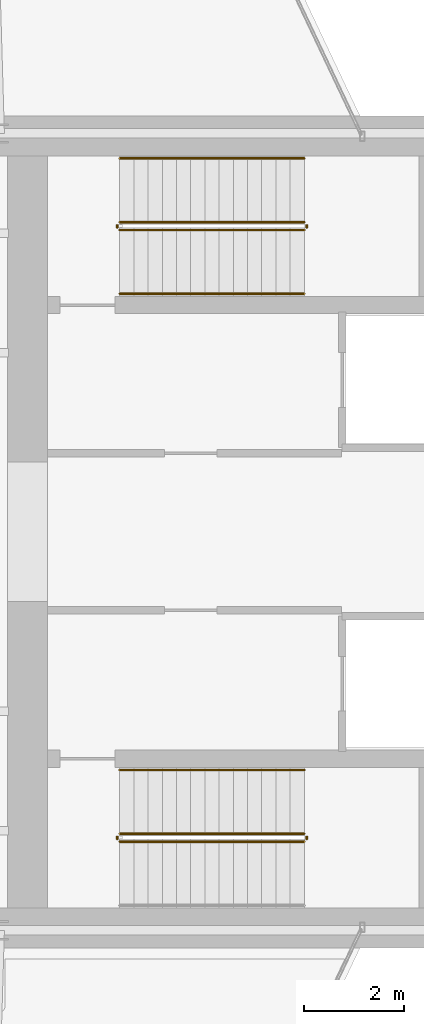
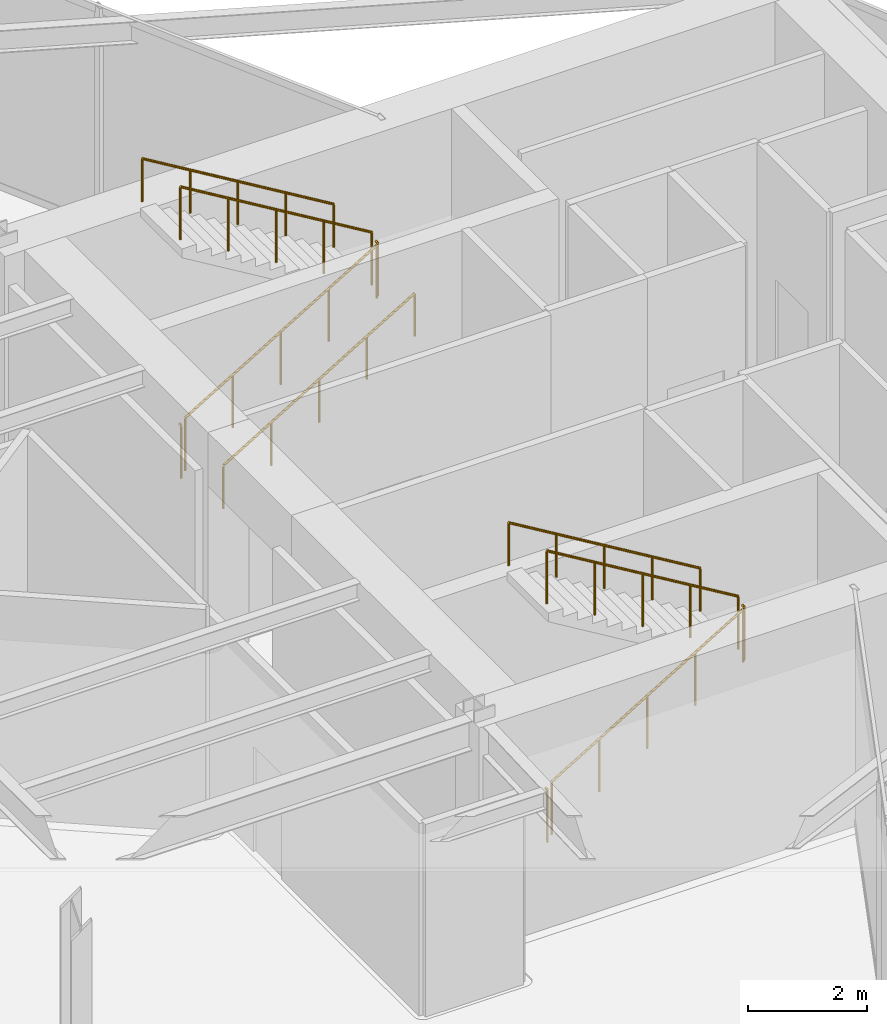
# One storey, part 13 of 13: 11 railings.
"""IFC4 building model written with IfcOpenShell, lengths in metres."""

from ifc_helpers import new_model, si_unit, direction, frame, origin, origin_2d, place, context, subcontext, project, spatial, circle, extrude, material, type_object, element, save


model = new_model("IFC4")

# Units and contexts
model_context = context("Model", 3, precision=1e-05, world=origin(), true_north=direction((0.0, 1.0)))
body_context = subcontext(model_context, "Body", "Model", "MODEL_VIEW")
ifc_project = project(units=[si_unit("LENGTHUNIT", "METRE"), si_unit("AREAUNIT", "SQUARE_METRE"), si_unit("VOLUMEUNIT", "CUBIC_METRE"), si_unit("PLANEANGLEUNIT", "RADIAN"), si_unit("MASSUNIT", "GRAM", prefix="KILO")], contexts=[model_context])

# Site, building, storey
site_placement = place(None, origin())
site = spatial("IfcSite", under=ifc_project, at=site_placement, CompositionType="ELEMENT")
building_placement = place(site_placement, origin())
building = spatial("IfcBuilding", under=site, at=building_placement, Name="Veymaron Broadcast Tower", CompositionType="ELEMENT")
storey_placement = place(building_placement, frame((0.0, 0.0, 112.050048828125)))
storey = spatial("IfcBuildingStorey", under=building, at=storey_placement, Name="L25", CompositionType="ELEMENT", Elevation=112.050048828125)

# Railings
ifc_material_1 = material(Name="Brushed stainless steel AISI 304", Category="steel")
railing_type_1 = type_object("IfcRailingType", Name="RAIL-STAIR-HR", PredefinedType="HANDRAIL", material=ifc_material_1)
railing_1_placement = place(storey_placement, frame((41.429931640625, 28.780029296875, 0.17138671875)))
element("IfcRailing", 1, at=railing_1_placement, inside=storey, type_object=railing_type_1, Name="L25 ST1 stair handrail 1", PredefinedType="HANDRAIL", context=body_context, shape_type="SweptSolid", body=[
    extrude(circle(Radius=0.02392578125, at=origin_2d()), frame((0.0, 0.0, 0.8759765625), z_axis=(0.856934400257, 0.0, 0.515425487977), x_axis=(0.0, 1.0, 0.0)), (0.0, 0.0, 1.0), 4.32373046875),
    extrude(circle(Radius=0.02099609375, at=origin_2d()), origin(), (0.0, 0.0, 1.0), 0.851806640625),
    extrude(circle(Radius=0.02099609375, at=origin_2d()), frame((0.92626953125, 0.0, 0.55712890625)), (0.0, 0.0, 1.0), 0.851806640625),
    extrude(circle(Radius=0.02099609375, at=origin_2d()), frame((1.8525390625, 0.0, 1.1142578125)), (0.0, 0.0, 1.0), 0.851806640625),
    extrude(circle(Radius=0.02099609375, at=origin_2d()), frame((2.77880859375, 0.0, 1.67138671875)), (0.0, 0.0, 1.0), 0.851806640625),
    extrude(circle(Radius=0.02099609375, at=origin_2d()), frame((3.705078125, 0.0, 2.228515625)), (0.0, 0.0, 1.0), 0.851806640625),
])
for number, where, name in (
    (2, (45.135009765625, 31.5, 2.5712890625), "L25 ST1 stair handrail 2"),
    (3, (45.135009765625, 19.219970703125, 2.5712890625), "L25 ST2 stair handrail 2"),
):
    element("IfcRailing", number, at=place(storey_placement, frame(where)), inside=storey, type_object=railing_type_1, Name=name, PredefinedType="HANDRAIL", context=body_context, shape_type="SweptSolid", body=[
        extrude(circle(Radius=0.02392578125, at=origin_2d()), frame((0.0, 0.0, 0.8759765625), z_axis=(-0.856909459561, 0.0, 0.515466951525), x_axis=(0.0, -1.0, 0.0)), (0.0, 0.0, 1.0), 4.32373046875),
        extrude(circle(Radius=0.02099609375, at=origin_2d()), origin(), (0.0, 0.0, 1.0), 0.851806640625),
        extrude(circle(Radius=0.02099609375, at=origin_2d()), frame((-0.92626953125, 0.0, 0.55712890625)), (0.0, 0.0, 1.0), 0.851806640625),
        extrude(circle(Radius=0.02099609375, at=origin_2d()), frame((-1.8525390625, 0.0, 1.1142578125)), (0.0, 0.0, 1.0), 0.851806640625),
        extrude(circle(Radius=0.02099609375, at=origin_2d()), frame((-2.77880859375, 0.0, 1.671630859375)), (0.0, 0.0, 1.0), 0.851806640625),
        extrude(circle(Radius=0.02099609375, at=origin_2d()), frame((-3.705078125, 0.0, 2.228759765625)), (0.0, 0.0, 1.0), 0.851806640625),
    ])
ifc_material_2 = material(Name="Painted galvanized steel balustrade", Category="steel")
railing_type_2 = type_object("IfcRailingType", Name="RAIL-WELL-GRD", PredefinedType="GUARDRAIL", material=ifc_material_2)
railing_2_placement = place(storey_placement, frame((41.429931640625, 30.06005859375, 0.17138671875)))
element("IfcRailing", 4, at=railing_2_placement, inside=storey, type_object=railing_type_2, Name="L25 ST1 stair guard 1", PredefinedType="GUARDRAIL", context=body_context, shape_type="SweptSolid", body=[
    extrude(circle(Radius=0.02392578125, at=origin_2d()), frame((0.0, 0.0, 1.076171875), z_axis=(0.856934400257, 0.0, 0.515425487977), x_axis=(0.0, 1.0, 0.0)), (0.0, 0.0, 1.0), 4.32373046875),
    extrude(circle(Radius=0.02099609375, at=origin_2d()), origin(), (0.0, 0.0, 1.0), 1.052001953125),
    extrude(circle(Radius=0.02099609375, at=origin_2d()), frame((0.92626953125, 0.0, 0.55712890625)), (0.0, 0.0, 1.0), 1.052001953125),
    extrude(circle(Radius=0.02099609375, at=origin_2d()), frame((1.8525390625, 0.0, 1.1142578125)), (0.0, 0.0, 1.0), 1.052001953125),
    extrude(circle(Radius=0.02099609375, at=origin_2d()), frame((2.77880859375, 0.0, 1.67138671875)), (0.0, 0.0, 1.0), 1.052001953125),
    extrude(circle(Radius=0.02099609375, at=origin_2d()), frame((3.705078125, 0.0, 2.228515625)), (0.0, 0.0, 1.0), 1.052001953125),
])
railing_3_placement = place(storey_placement, frame((45.18505859375, 30.110107421875, 2.39990234375)))
element("IfcRailing", 5, at=railing_3_placement, inside=storey, type_object=railing_type_2, Name="L25 ST1 stair guard 2", PredefinedType="GUARDRAIL", context=body_context, shape_type="SweptSolid", body=[
    extrude(circle(Radius=0.02392578125, at=origin_2d()), frame((0.0, 0.0, 1.076171875), z_axis=(0.0, 1.0, 0.0), x_axis=(-1.0, 0.0, 0.0)), (0.0, 0.0, 1.0), 0.059814453125),
    extrude(circle(Radius=0.02099609375, at=origin_2d()), origin(), (0.0, 0.0, 1.0), 1.052001953125),
])
railing_4_placement = place(storey_placement, frame((45.135009765625, 30.219970703125, 2.5712890625)))
element("IfcRailing", 6, at=railing_4_placement, inside=storey, type_object=railing_type_2, Name="L25 ST1 stair guard 3", PredefinedType="GUARDRAIL", context=body_context, shape_type="SweptSolid", body=[
    extrude(circle(Radius=0.02392578125, at=origin_2d()), frame((0.0, 0.0, 1.076171875), z_axis=(-0.856909459561, 0.0, 0.515466951525), x_axis=(0.0, -1.0, 0.0)), (0.0, 0.0, 1.0), 4.32373046875),
    extrude(circle(Radius=0.02099609375, at=origin_2d()), origin(), (0.0, 0.0, 1.0), 1.052001953125),
    extrude(circle(Radius=0.02099609375, at=origin_2d()), frame((-0.92626953125, 0.0, 0.55712890625)), (0.0, 0.0, 1.0), 1.052001953125),
    extrude(circle(Radius=0.02099609375, at=origin_2d()), frame((-1.8525390625, 0.0, 1.1142578125)), (0.0, 0.0, 1.0), 1.052001953125),
    extrude(circle(Radius=0.02099609375, at=origin_2d()), frame((-2.77880859375, 0.0, 1.671630859375)), (0.0, 0.0, 1.0), 1.052001953125),
    extrude(circle(Radius=0.02099609375, at=origin_2d()), frame((-3.705078125, 0.0, 2.228759765625)), (0.0, 0.0, 1.0), 1.052001953125),
])
railing_5_placement = place(storey_placement, frame((41.3798828125, 30.110107421875, 0.0)))
element("IfcRailing", 7, at=railing_5_placement, inside=storey, type_object=railing_type_2, Name="L25 ST1 stair guard 4", PredefinedType="GUARDRAIL", context=body_context, shape_type="SweptSolid", body=[
    extrude(circle(Radius=0.02392578125, at=origin_2d()), frame((0.0, 0.0, 1.076171875), z_axis=(0.0, 1.0, 0.0), x_axis=(-1.0, 0.0, 0.0)), (0.0, 0.0, 1.0), 0.059814453125),
    extrude(circle(Radius=0.02099609375, at=origin_2d()), origin(), (0.0, 0.0, 1.0), 1.052001953125),
])
railing_6_placement = place(storey_placement, frame((41.429931640625, 17.780029296875, 0.17138671875)))
element("IfcRailing", 8, at=railing_6_placement, inside=storey, type_object=railing_type_2, Name="L25 ST2 stair guard 1", PredefinedType="GUARDRAIL", context=body_context, shape_type="SweptSolid", body=[
    extrude(circle(Radius=0.02392578125, at=origin_2d()), frame((0.0, 0.0, 1.076171875), z_axis=(0.856934400257, 0.0, 0.515425487977), x_axis=(0.0, 1.0, 0.0)), (0.0, 0.0, 1.0), 4.32373046875),
    extrude(circle(Radius=0.02099609375, at=origin_2d()), origin(), (0.0, 0.0, 1.0), 1.052001953125),
    extrude(circle(Radius=0.02099609375, at=origin_2d()), frame((0.92626953125, 0.0, 0.55712890625)), (0.0, 0.0, 1.0), 1.052001953125),
    extrude(circle(Radius=0.02099609375, at=origin_2d()), frame((1.8525390625, 0.0, 1.1142578125)), (0.0, 0.0, 1.0), 1.052001953125),
    extrude(circle(Radius=0.02099609375, at=origin_2d()), frame((2.77880859375, 0.0, 1.67138671875)), (0.0, 0.0, 1.0), 1.052001953125),
    extrude(circle(Radius=0.02099609375, at=origin_2d()), frame((3.705078125, 0.0, 2.228515625)), (0.0, 0.0, 1.0), 1.052001953125),
])
railing_7_placement = place(storey_placement, frame((45.18505859375, 17.830078125, 2.39990234375)))
element("IfcRailing", 9, at=railing_7_placement, inside=storey, type_object=railing_type_2, Name="L25 ST2 stair guard 2", PredefinedType="GUARDRAIL", context=body_context, shape_type="SweptSolid", body=[
    extrude(circle(Radius=0.02392578125, at=origin_2d()), frame((0.0, 0.0, 1.076171875), z_axis=(0.0, 1.0, 0.0), x_axis=(-1.0, 0.0, 0.0)), (0.0, 0.0, 1.0), 0.059814453125),
    extrude(circle(Radius=0.02099609375, at=origin_2d()), origin(), (0.0, 0.0, 1.0), 1.052001953125),
])
railing_8_placement = place(storey_placement, frame((45.135009765625, 17.93994140625, 2.5712890625)))
element("IfcRailing", 10, at=railing_8_placement, inside=storey, type_object=railing_type_2, Name="L25 ST2 stair guard 3", PredefinedType="GUARDRAIL", context=body_context, shape_type="SweptSolid", body=[
    extrude(circle(Radius=0.02392578125, at=origin_2d()), frame((0.0, 0.0, 1.076171875), z_axis=(-0.856909459561, 0.0, 0.515466951525), x_axis=(0.0, -1.0, 0.0)), (0.0, 0.0, 1.0), 4.32373046875),
    extrude(circle(Radius=0.02099609375, at=origin_2d()), origin(), (0.0, 0.0, 1.0), 1.052001953125),
    extrude(circle(Radius=0.02099609375, at=origin_2d()), frame((-0.92626953125, 0.0, 0.55712890625)), (0.0, 0.0, 1.0), 1.052001953125),
    extrude(circle(Radius=0.02099609375, at=origin_2d()), frame((-1.8525390625, 0.0, 1.1142578125)), (0.0, 0.0, 1.0), 1.052001953125),
    extrude(circle(Radius=0.02099609375, at=origin_2d()), frame((-2.77880859375, 0.0, 1.671630859375)), (0.0, 0.0, 1.0), 1.052001953125),
    extrude(circle(Radius=0.02099609375, at=origin_2d()), frame((-3.705078125, 0.0, 2.228759765625)), (0.0, 0.0, 1.0), 1.052001953125),
])
railing_9_placement = place(storey_placement, frame((41.3798828125, 17.830078125, 0.0)))
element("IfcRailing", 11, at=railing_9_placement, inside=storey, type_object=railing_type_2, Name="L25 ST2 stair guard 4", PredefinedType="GUARDRAIL", context=body_context, shape_type="SweptSolid", body=[
    extrude(circle(Radius=0.02392578125, at=origin_2d()), frame((0.0, 0.0, 1.076171875), z_axis=(0.0, 1.0, 0.0), x_axis=(-1.0, 0.0, 0.0)), (0.0, 0.0, 1.0), 0.059814453125),
    extrude(circle(Radius=0.02099609375, at=origin_2d()), origin(), (0.0, 0.0, 1.0), 1.052001953125),
])

save(model, "model.ifc")
